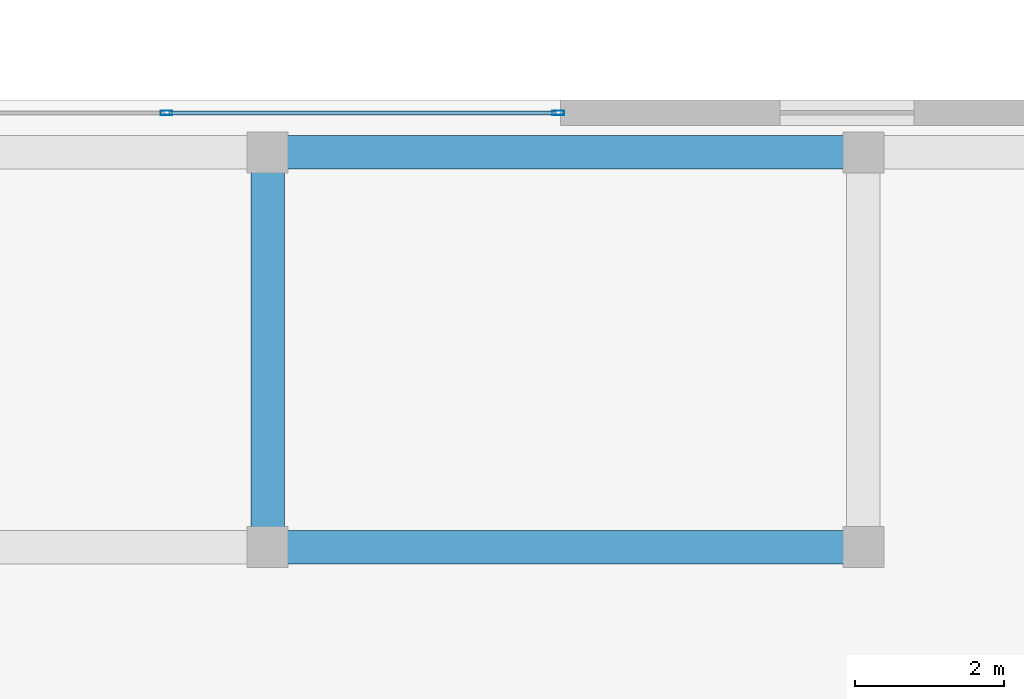
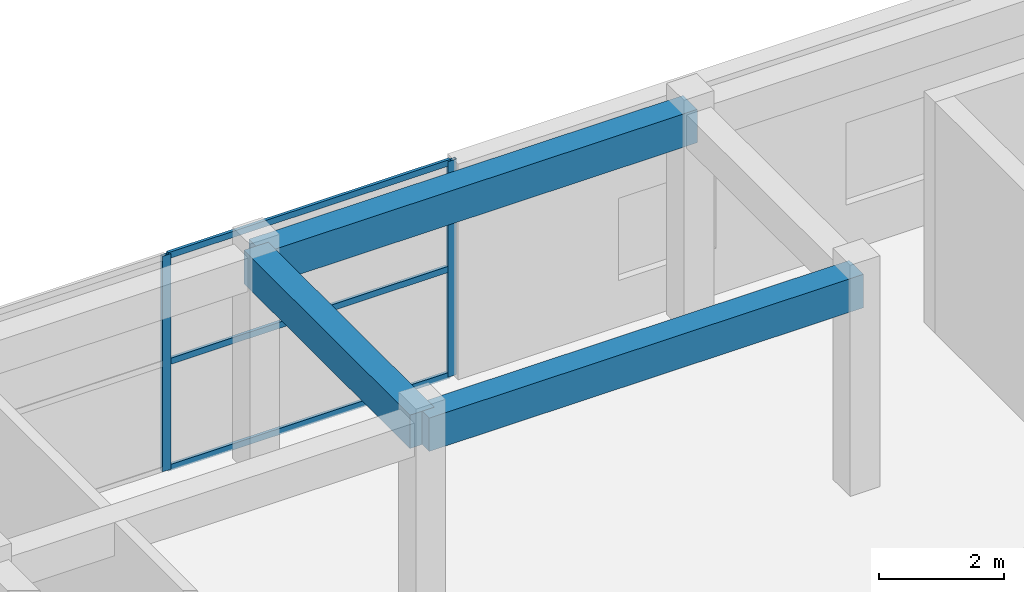
# One storey, part 17 of 26: 5 members, 3 beams, 1 element without a shape of its own.
"""IFC4 building model written with IfcOpenShell, lengths in metres."""

from ifc_helpers import new_model, si_unit, direction, frame, origin, origin_2d, place, context, subcontext, project, spatial, rectangle, hollow_rectangle, extrude, source, transform, mapped, material, layer, layer_set, material_profile, profile_set, type_object, element, aggregate, save


model = new_model("IFC4")

# Units and contexts
model_context = context("Model", 3, precision=1e-05, world=origin(), true_north=direction((0.0, 1.0)))
body_context = subcontext(model_context, "Body", "Model", "MODEL_VIEW")
ifc_project = project(units=[si_unit("LENGTHUNIT", "METRE"), si_unit("AREAUNIT", "SQUARE_METRE"), si_unit("VOLUMEUNIT", "CUBIC_METRE"), si_unit("PLANEANGLEUNIT", "RADIAN"), si_unit("MASSUNIT", "GRAM", prefix="KILO")], contexts=[model_context])

# Site, building, storey
site_placement = place(None, origin())
site = spatial("IfcSite", under=ifc_project, at=site_placement, CompositionType="ELEMENT")
building_placement = place(site_placement, origin())
building = spatial("IfcBuilding", under=site, at=building_placement, Name="Khoralis Quay Care Tower", CompositionType="ELEMENT")
storey_placement = place(building_placement, frame((0.0, 0.0, 13.5)))
storey = spatial("IfcBuildingStorey", under=building, at=storey_placement, Name="L03", CompositionType="ELEMENT", Elevation=13.5)

# Beams
ifc_material_1 = material(Name="Concrete C40/50", Category="concrete")
ifc_material_profile_1 = material_profile(ifc_material_1, rectangle(XDim=0.449951171875, YDim=0.64990234375, at=origin_2d()), Name="Concrete C40/50")
ifc_profile_set_1 = profile_set([ifc_material_profile_1], Name="Concrete C40/50")
beam_type = type_object("IfcBeamType", Name="BM-RC450X650", PredefinedType="BEAM", material=ifc_profile_set_1)
shared_shape_1 = source(origin(), body_context, "Body", "SweptSolid", [
    extrude(rectangle(XDim=0.449951171875, YDim=0.64990234375, at=origin_2d()), origin(), (0.0, 0.0, 1.0), 8.0),
])
for number, where, z_axis, x_axis, name in (
    (1, (92.0, 36.0, 3.875), (1.0, 0.0, 0.0), (0.0, 1.0, 0.0), "BM-SCX-L03-18"),
    (2, (92.0, 41.300048828125, 3.875), (1.0, 0.0, 0.0), (0.0, 1.0, 0.0), "BM-SCX-L03-22"),
):
    element("IfcBeam", number, at=place(storey_placement, frame(where, z_axis=z_axis, x_axis=x_axis)), inside=storey, type_object=beam_type, Name=name, PredefinedType="BEAM", context=body_context, shape_type="MappedRepresentation", body=[
        mapped(shared_shape_1, transform((0.0, 0.0, 0.0), scale=1.0)),
    ])
shared_shape_2 = source(origin(), body_context, "Body", "SweptSolid", [
    extrude(rectangle(XDim=0.449951171875, YDim=0.64990234375, at=origin_2d()), origin(), (0.0, 0.0, 1.0), 5.300048828125),
])
beam_placement = place(storey_placement, frame((92.0, 36.0, 3.875), z_axis=(0.0, 1.0, 0.0), x_axis=(-1.0, 0.0, 0.0)))
element("IfcBeam", 3, at=beam_placement, inside=storey, type_object=beam_type, Name="BM-SCY-L03-43", PredefinedType="BEAM", context=body_context, shape_type="MappedRepresentation", body=[
    mapped(shared_shape_2, transform((0.0, 0.0, 0.0), scale=1.0)),
])

# Curtain wall, members
ifc_material_2 = material(Name="Pale anodised aluminium", Category="aluminium")
ifc_layer = layer(ifc_material_2, 0.14990234375)
ifc_layer_set = layer_set([ifc_layer], Name="Pale anodised aluminium")
curtain_wall_type = type_object("IfcCurtainWallType", Name="CW-SYS-SCHOOL", PredefinedType="NOTDEFINED", material=ifc_layer_set)
curtain_wall_placement = place(storey_placement, origin())
curtain_wall = element("IfcCurtainWall", 4, at=curtain_wall_placement, inside=storey, type_object=curtain_wall_type, Name="L03 Unitised Curtain Wall CW-SCH-L03-E3", PredefinedType="NOTDEFINED")
ifc_material_profile_2 = material_profile(ifc_material_2, hollow_rectangle(XDim=0.06005859375, YDim=0.159912109375, WallThickness=0.00390625, at=origin_2d()), Name="Pale anodised aluminium")
ifc_profile_set_2 = profile_set([ifc_material_profile_2], Name="Pale anodised aluminium")
member_type_1 = type_object("IfcMemberType", Name="CW-MUL-160", PredefinedType="MULLION", material=ifc_profile_set_2)
shared_shape_3 = source(origin(), body_context, "Body", "SweptSolid", [
    extrude(hollow_rectangle(XDim=0.06005859375, YDim=0.159912109375, WallThickness=0.00390625, at=origin_2d()), origin(), (0.0, 0.0, 1.0), 4.199951171875),
])
member_1_placement = place(storey_placement, frame((95.902099609375, 41.830078125, 0.0), z_axis=(0.0, 0.0, 1.0), x_axis=(0.0, -1.0, 0.0)))
member_1 = element("IfcMember", 5, at=member_1_placement, type_object=member_type_1, Name="CW6 mullion 1", PredefinedType="MULLION", context=body_context, shape_type="MappedRepresentation", body=[
    mapped(shared_shape_3, transform((0.0, 0.0, 0.0), scale=1.0)),
])
member_2_placement = place(storey_placement, frame((90.64404296875, 41.830078125, 0.0), z_axis=(0.0, 0.0, 1.0), x_axis=(0.0, -1.0, 0.0)))
member_2 = element("IfcMember", 6, at=member_2_placement, type_object=member_type_1, Name="CW6 mullion 2", PredefinedType="MULLION", context=body_context, shape_type="MappedRepresentation", body=[
    mapped(shared_shape_3, transform((0.0, 0.0, 0.0), scale=1.0)),
])
ifc_material_profile_3 = material_profile(ifc_material_2, hollow_rectangle(XDim=0.054931640625, YDim=0.1201171875, WallThickness=0.00390625, at=origin_2d()), Name="Pale anodised aluminium")
ifc_profile_set_3 = profile_set([ifc_material_profile_3], Name="Pale anodised aluminium")
member_type_2 = type_object("IfcMemberType", Name="CW-TRN-120", PredefinedType="USERDEFINED", material=ifc_profile_set_3)
shared_shape_4 = source(origin(), body_context, "Body", "SweptSolid", [
    extrude(hollow_rectangle(XDim=0.054931640625, YDim=0.1201171875, WallThickness=0.00390625, at=origin_2d()), origin(), (0.0, 0.0, 1.0), 5.197998046875),
])
member_3_placement = place(storey_placement, frame((95.8720703125, 41.830078125, 0.030029296875), z_axis=(-1.0, 0.0, 0.0), x_axis=(0.0, -1.0, 0.0)))
member_3 = element("IfcMember", 7, at=member_3_placement, type_object=member_type_2, Name="CW6 transom 1.1", ObjectType="TRANSOM", PredefinedType="USERDEFINED", context=body_context, shape_type="MappedRepresentation", body=[
    mapped(shared_shape_4, transform((0.0, 0.0, 0.0), scale=1.0)),
])
member_4_placement = place(storey_placement, frame((95.8720703125, 41.830078125, 2.10009765625), z_axis=(-1.0, 0.0, 0.0), x_axis=(0.0, -1.0, 0.0)))
member_4 = element("IfcMember", 8, at=member_4_placement, type_object=member_type_2, Name="CW6 transom 1.2", ObjectType="TRANSOM", PredefinedType="USERDEFINED", context=body_context, shape_type="MappedRepresentation", body=[
    mapped(shared_shape_4, transform((0.0, 0.0, 0.0), scale=1.0)),
])
member_5_placement = place(storey_placement, frame((95.8720703125, 41.830078125, 4.169921875), z_axis=(-1.0, 0.0, 0.0), x_axis=(0.0, -1.0, 0.0)))
member_5 = element("IfcMember", 9, at=member_5_placement, type_object=member_type_2, Name="CW6 transom 1.3", ObjectType="TRANSOM", PredefinedType="USERDEFINED", context=body_context, shape_type="MappedRepresentation", body=[
    mapped(shared_shape_4, transform((0.0, 0.0, 0.0), scale=1.0)),
])
aggregate(curtain_wall, [member_1, member_2, member_3, member_4, member_5])

save(model, "model.ifc")
